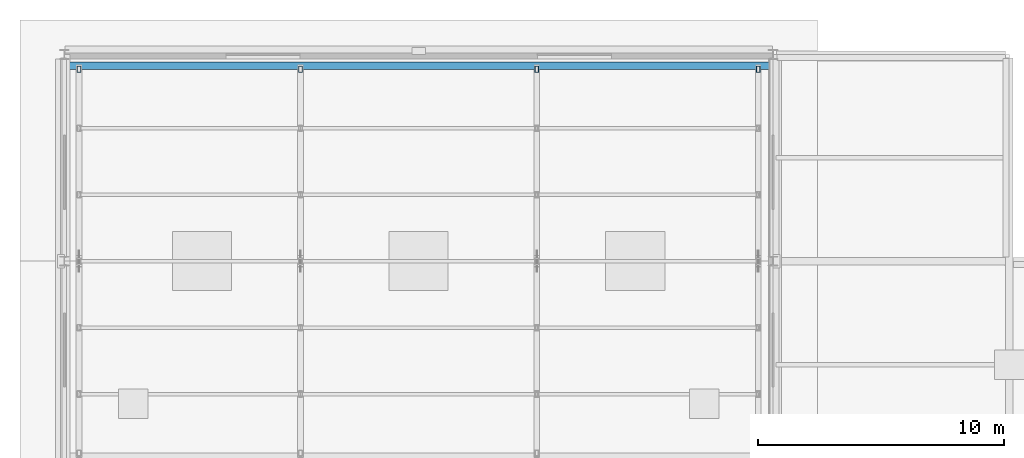
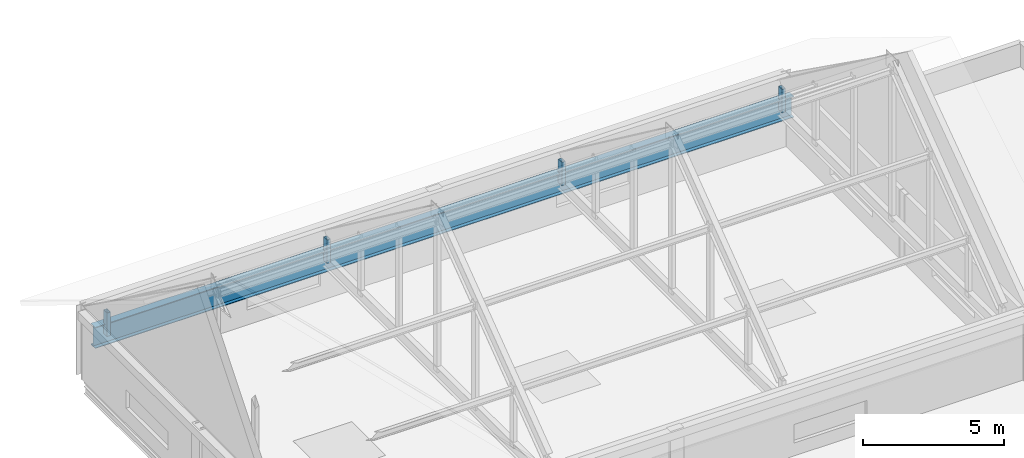
# One storey, part 6 of 10: 4 members, 1 beam.
"""IFC4 building model written with IfcOpenShell, lengths in metres."""

from ifc_helpers import new_model, si_unit, direction, frame, origin, origin_2d, place, context, subcontext, project, spatial, hollow_rectangle, i_section, extrude, material, material_profile, profile_set, type_object, element, save


model = new_model("IFC4")

# Units and contexts
model_context = context("Model", 3, precision=1e-05, world=origin(), true_north=direction((0.0, 1.0)))
body_context = subcontext(model_context, "Body", "Model", "MODEL_VIEW")
ifc_project = project(units=[si_unit("LENGTHUNIT", "METRE"), si_unit("AREAUNIT", "SQUARE_METRE"), si_unit("VOLUMEUNIT", "CUBIC_METRE"), si_unit("PLANEANGLEUNIT", "RADIAN"), si_unit("MASSUNIT", "GRAM", prefix="KILO")], contexts=[model_context])

# Site, building, storey
site_placement = place(None, origin())
site = spatial("IfcSite", under=ifc_project, at=site_placement, CompositionType="ELEMENT")
building_placement = place(site_placement, origin())
building = spatial("IfcBuilding", under=site, at=building_placement, Name="Lornevale Opera House", CompositionType="ELEMENT")
storey_placement = place(building_placement, frame((0.0, 0.0, 31.199951171875)))
storey = spatial("IfcBuildingStorey", under=building, at=storey_placement, Name="RF", CompositionType="ELEMENT", Elevation=31.199951171875)

# Members
ifc_material = material(Name="Structural Steel CSA G40.21 Grade 350W (350 MPa)", Category="steel")
ifc_material_profile_1 = material_profile(ifc_material, hollow_rectangle(XDim=0.152099609375, YDim=0.25390625, WallThickness=0.010986328125, at=origin_2d()), Name="HSS254x152x11")
ifc_profile_set_1 = profile_set([ifc_material_profile_1], Name="Structural Steel CSA G40.21 Grade 350W (350 MPa)")
member_type = type_object("IfcMemberType", Name="Stage Truss Web HSS254x152x11", PredefinedType="STRUT", material=ifc_profile_set_1)
for number, where, z_axis, x_axis, name in (
    (1, (67.800048828125, 83.39990234375, 1.949951171875), (0.0, 0.0, 1.0), (1.0, 0.0, 0.0), "Stage Truss Web HSS254x152x11 0069"),
    (2, (76.800048828125, 83.39990234375, 1.949951171875), (0.0, 0.0, 1.0), (1.0, 0.0, 0.0), "Stage Truss Web HSS254x152x11 0076"),
    (3, (86.39990234375, 83.39990234375, 1.949951171875), (0.0, 0.0, 1.0), (1.0, 0.0, 0.0), "Stage Truss Web HSS254x152x11 0083"),
    (4, (95.39990234375, 83.39990234375, 1.949951171875), (0.0, 0.0, 1.0), (1.0, 0.0, 0.0), "Stage Truss Web HSS254x152x11 0090"),
):
    element("IfcMember", number, at=place(storey_placement, frame(where, z_axis=z_axis, x_axis=x_axis)), inside=storey, type_object=member_type, Name=name, PredefinedType="STRUT", context=body_context, shape_type="SweptSolid", body=[
        extrude(hollow_rectangle(XDim=0.152099609375, YDim=0.25390625, WallThickness=0.010986328125, at=origin_2d()), origin(), (0.0, 0.0, 1.0), 1.010009765625),
    ])

# Beam
ifc_material_profile_2 = material_profile(ifc_material, i_section(OverallWidth=0.305908203125, OverallDepth=0.9189453125, WebThickness=0.017333984375, FlangeThickness=0.02783203125, at=origin_2d()), Name="W920x253")
ifc_profile_set_2 = profile_set([ifc_material_profile_2], Name="Structural Steel CSA G40.21 Grade 350W (350 MPa)")
beam_type = type_object("IfcBeamType", Name="Steel Stagehouse Girder W920x253", PredefinedType="USERDEFINED", material=ifc_profile_set_2)
beam_placement = place(storey_placement, frame((67.320068359375, 83.550048828125, 1.949951171875), z_axis=(1.0, 0.0, 0.0), x_axis=(0.0, 1.0, 0.0)))
element("IfcBeam", 5, at=beam_placement, inside=storey, type_object=beam_type, Name="Steel Stagehouse Girder W920x253 2989", ObjectType="GIRDER", PredefinedType="USERDEFINED", context=body_context, shape_type="SweptSolid", body=[
    extrude(i_section(OverallWidth=0.305908203125, OverallDepth=0.9189453125, WebThickness=0.017333984375, FlangeThickness=0.02783203125, at=origin_2d()), origin(), (0.0, 0.0, 1.0), 28.559814453125),
])

save(model, "model.ifc")
